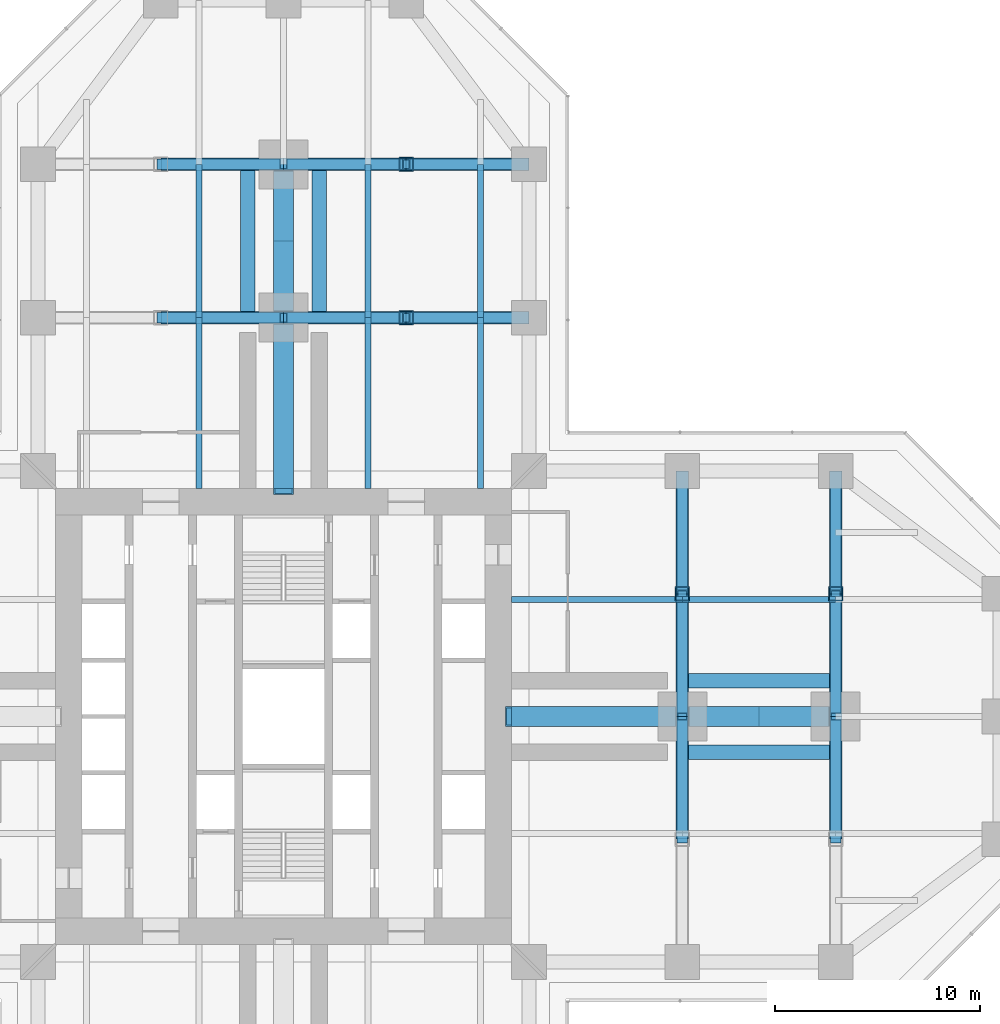
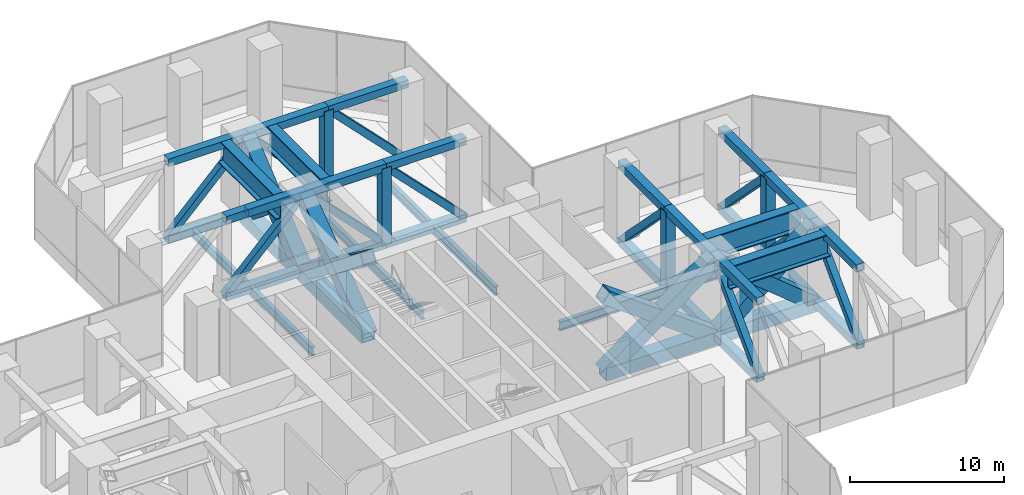
# One storey, part 8 of 19: 48 members, 16 beams.
"""IFC4 building model written with IfcOpenShell, lengths in metres."""

from ifc_helpers import new_model, si_unit, direction, frame, origin, origin_2d, place, context, subcontext, project, spatial, hollow_rectangle, i_section, extrude, material, material_profile, profile_set, type_object, element, save


model = new_model("IFC4")

# Units and contexts
model_context = context("Model", 3, precision=1e-05, world=origin(), true_north=direction((0.0, 1.0)))
body_context = subcontext(model_context, "Body", "Model", "MODEL_VIEW")
ifc_project = project(units=[si_unit("LENGTHUNIT", "METRE"), si_unit("AREAUNIT", "SQUARE_METRE"), si_unit("VOLUMEUNIT", "CUBIC_METRE"), si_unit("PLANEANGLEUNIT", "RADIAN"), si_unit("MASSUNIT", "GRAM", prefix="KILO")], contexts=[model_context])

# Site, building, storey
site_placement = place(None, origin())
site = spatial("IfcSite", under=ifc_project, at=site_placement, CompositionType="ELEMENT")
building_placement = place(site_placement, origin())
building = spatial("IfcBuilding", under=site, at=building_placement, Name="Mizan Broadcast Tower", CompositionType="ELEMENT")
storey_placement = place(building_placement, frame((0.0, 0.0, 37.5)))
storey = spatial("IfcBuildingStorey", under=building, at=storey_placement, Name="L06", CompositionType="ELEMENT", Elevation=37.5)

# Members
ifc_material_1 = material(Name="Steel S460", Category="steel")
ifc_material_profile_1 = material_profile(ifc_material_1, hollow_rectangle(XDim=0.60009765625, YDim=0.60009765625, WallThickness=0.06005859375, at=origin_2d()), Name="BOX 600x600x60")
ifc_profile_set_1 = profile_set([ifc_material_profile_1], Name="Steel S460")
member_type_1 = type_object("IfcMemberType", Name="BELT TRUSS BT1 CHORD BOX 600x600x60", PredefinedType="CHORD", material=ifc_profile_set_1)
for number, where, z_axis, x_axis, name in (
    (1, (19.5, -6.0, -0.550048828125), (0.0, 1.0, 0.0), (-1.0, 0.0, 0.0), "Belt truss BT1-E19 bottom chord 2"),
    (2, (19.5, -6.0, 5.570068359375), (0.0, 1.0, 0.0), (-1.0, 0.0, 0.0), "Belt truss BT1-E19 top chord 2"),
    (3, (19.5, 0.0, -0.550048828125), (0.0, 1.0, 0.0), (-1.0, 0.0, 0.0), "Belt truss BT1-E19 bottom chord 3"),
    (4, (19.5, 0.0, 5.570068359375), (0.0, 1.0, 0.0), (-1.0, 0.0, 0.0), "Belt truss BT1-E19 top chord 3"),
    (5, (19.5, 6.0, -0.550048828125), (0.0, 1.0, 0.0), (-1.0, 0.0, 0.0), "Belt truss BT1-E19 bottom chord 4"),
    (6, (19.5, 6.0, 5.570068359375), (0.0, 1.0, 0.0), (-1.0, 0.0, 0.0), "Belt truss BT1-E19 top chord 4"),
    (7, (27.0, -6.0, -0.550048828125), (0.0, 1.0, 0.0), (-1.0, 0.0, 0.0), "Belt truss BT1-E27 bottom chord 2"),
    (8, (27.0, -6.0, 5.570068359375), (0.0, 1.0, 0.0), (-1.0, 0.0, 0.0), "Belt truss BT1-E27 top chord 2"),
    (9, (27.0, 0.0, -0.550048828125), (0.0, 1.0, 0.0), (-1.0, 0.0, 0.0), "Belt truss BT1-E27 bottom chord 3"),
    (10, (27.0, 0.0, 5.570068359375), (0.0, 1.0, 0.0), (-1.0, 0.0, 0.0), "Belt truss BT1-E27 top chord 3"),
    (11, (27.0, 6.0, -0.550048828125), (0.0, 1.0, 0.0), (-1.0, 0.0, 0.0), "Belt truss BT1-E27 bottom chord 4"),
    (12, (27.0, 6.0, 5.570068359375), (0.0, 1.0, 0.0), (-1.0, 0.0, 0.0), "Belt truss BT1-E27 top chord 4"),
    (13, (12.0, 19.5, -0.550048828125), (-1.0, 0.0, 0.0), (0.0, -1.0, 0.0), "Belt truss BT1-N19 bottom chord 1"),
    (14, (12.0, 19.5, 5.570068359375), (-1.0, 0.0, 0.0), (0.0, -1.0, 0.0), "Belt truss BT1-N19 top chord 1"),
    (15, (6.0, 19.5, -0.550048828125), (-1.0, 0.0, 0.0), (0.0, -1.0, 0.0), "Belt truss BT1-N19 bottom chord 2"),
    (16, (6.0, 19.5, 5.570068359375), (-1.0, 0.0, 0.0), (0.0, -1.0, 0.0), "Belt truss BT1-N19 top chord 2"),
    (17, (0.0, 19.5, -0.550048828125), (-1.0, 0.0, 0.0), (0.0, -1.0, 0.0), "Belt truss BT1-N19 bottom chord 3"),
    (18, (0.0, 19.5, 5.570068359375), (-1.0, 0.0, 0.0), (0.0, -1.0, 0.0), "Belt truss BT1-N19 top chord 3"),
    (19, (12.0, 27.0, -0.550048828125), (-1.0, 0.0, 0.0), (0.0, -1.0, 0.0), "Belt truss BT1-N27 bottom chord 1"),
    (20, (12.0, 27.0, 5.570068359375), (-1.0, 0.0, 0.0), (0.0, -1.0, 0.0), "Belt truss BT1-N27 top chord 1"),
    (21, (6.0, 27.0, -0.550048828125), (-1.0, 0.0, 0.0), (0.0, -1.0, 0.0), "Belt truss BT1-N27 bottom chord 2"),
    (22, (6.0, 27.0, 5.570068359375), (-1.0, 0.0, 0.0), (0.0, -1.0, 0.0), "Belt truss BT1-N27 top chord 2"),
    (23, (0.0, 27.0, -0.550048828125), (-1.0, 0.0, 0.0), (0.0, -1.0, 0.0), "Belt truss BT1-N27 bottom chord 3"),
    (24, (0.0, 27.0, 5.570068359375), (-1.0, 0.0, 0.0), (0.0, -1.0, 0.0), "Belt truss BT1-N27 top chord 3"),
):
    element("IfcMember", number, at=place(storey_placement, frame(where, z_axis=z_axis, x_axis=x_axis)), inside=storey, type_object=member_type_1, Name=name, PredefinedType="CHORD", context=body_context, shape_type="SweptSolid", body=[
        extrude(hollow_rectangle(XDim=0.60009765625, YDim=0.60009765625, WallThickness=0.06005859375, at=origin_2d()), origin(), (0.0, 0.0, 1.0), 6.0),
    ])
ifc_material_2 = material(Name="Steel S460", Category="steel")
ifc_material_profile_2 = material_profile(ifc_material_2, hollow_rectangle(XDim=0.5, YDim=0.5, WallThickness=0.050048828125, at=origin_2d()), Name="BOX 500x500x50")
ifc_profile_set_2 = profile_set([ifc_material_profile_2], Name="Steel S460")
member_type_2 = type_object("IfcMemberType", Name="BELT TRUSS BT1 DIAGONAL BOX 500x500x50", PredefinedType="BRACE", material=ifc_profile_set_2)
for number, where, z_axis, x_axis, name in (
    (25, (19.5, -6.0, -0.550048828125), (0.0, 0.700064575666, 0.714079540316), (-1.0, 0.0, 0.0), "Belt truss BT1-E19 diagonal 2"),
    (26, (19.5, 6.0, -0.550048828125), (0.0, -0.700064575666, 0.714079540316), (1.0, 0.0, 0.0), "Belt truss BT1-E19 diagonal 3"),
    (27, (19.5, 12.0, -0.550048828125), (0.0, -0.700064575666, 0.714079540316), (1.0, 0.0, 0.0), "Belt truss BT1-E19 diagonal 4"),
    (28, (27.0, -6.0, -0.550048828125), (0.0, 0.700064575666, 0.714079540316), (-1.0, 0.0, 0.0), "Belt truss BT1-E27 diagonal 2"),
    (29, (27.0, 6.0, -0.550048828125), (0.0, -0.700064575666, 0.714079540316), (1.0, 0.0, 0.0), "Belt truss BT1-E27 diagonal 3"),
    (30, (27.0, 12.0, -0.550048828125), (0.0, -0.700064575666, 0.714079540316), (1.0, 0.0, 0.0), "Belt truss BT1-E27 diagonal 4"),
    (31, (12.0, 19.5, -0.550048828125), (-0.700064575666, 0.0, 0.714079540316), (0.0, -1.0, 0.0), "Belt truss BT1-N19 diagonal 1"),
    (32, (6.0, 19.5, -0.550048828125), (-0.700064575666, 0.0, 0.714079540316), (0.0, -1.0, 0.0), "Belt truss BT1-N19 diagonal 2"),
    (33, (-6.0, 19.5, -0.550048828125), (0.700064575666, 0.0, 0.714079540316), (0.0, 1.0, 0.0), "Belt truss BT1-N19 diagonal 3"),
    (34, (12.0, 27.0, -0.550048828125), (-0.700064575666, 0.0, 0.714079540316), (0.0, -1.0, 0.0), "Belt truss BT1-N27 diagonal 1"),
    (35, (6.0, 27.0, -0.550048828125), (-0.700064575666, 0.0, 0.714079540316), (0.0, -1.0, 0.0), "Belt truss BT1-N27 diagonal 2"),
    (36, (-6.0, 27.0, -0.550048828125), (0.700064575666, 0.0, 0.714079540316), (0.0, 1.0, 0.0), "Belt truss BT1-N27 diagonal 3"),
):
    element("IfcMember", number, at=place(storey_placement, frame(where, z_axis=z_axis, x_axis=x_axis)), inside=storey, type_object=member_type_2, Name=name, PredefinedType="BRACE", context=body_context, shape_type="SweptSolid", body=[
        extrude(hollow_rectangle(XDim=0.5, YDim=0.5, WallThickness=0.050048828125, at=origin_2d()), origin(), (0.0, 0.0, 1.0), 8.570556640625),
    ])
ifc_material_3 = material(Name="Steel S460", Category="steel")
ifc_material_profile_3 = material_profile(ifc_material_3, hollow_rectangle(XDim=0.699951171875, YDim=0.699951171875, WallThickness=0.0400390625, at=origin_2d()), Name="BOX 700x700x40")
ifc_profile_set_3 = profile_set([ifc_material_profile_3], Name="Steel S460")
member_type_3 = type_object("IfcMemberType", Name="BELT TRUSS BT1 POST BOX 700x700x40", PredefinedType="POST", material=ifc_profile_set_3)
for number, where, z_axis, x_axis, name in (
    (37, (19.5, 6.0, -0.550048828125), (0.0, 0.0, 1.0), (1.0, 0.0, 0.0), "Belt truss BT1-E19 post 3"),
    (38, (27.0, 6.0, -0.550048828125), (0.0, 0.0, 1.0), (1.0, 0.0, 0.0), "Belt truss BT1-E27 post 3"),
    (39, (6.0, 19.5, -0.550048828125), (0.0, 0.0, 1.0), (1.0, 0.0, 0.0), "Belt truss BT1-N19 post 1"),
    (40, (6.0, 27.0, -0.550048828125), (0.0, 0.0, 1.0), (1.0, 0.0, 0.0), "Belt truss BT1-N27 post 1"),
):
    element("IfcMember", number, at=place(storey_placement, frame(where, z_axis=z_axis, x_axis=x_axis)), inside=storey, type_object=member_type_3, Name=name, PredefinedType="POST", context=body_context, shape_type="SweptSolid", body=[
        extrude(hollow_rectangle(XDim=0.699951171875, YDim=0.699951171875, WallThickness=0.0400390625, at=origin_2d()), origin(), (0.0, 0.0, 1.0), 6.1201171875),
    ])

# Beams
ifc_material_4 = material(Name="Steel S460", Category="steel")
ifc_material_profile_4 = material_profile(ifc_material_4, hollow_rectangle(XDim=1.0, YDim=1.0, WallThickness=0.080078125, at=origin_2d()), Name="BOX 1000x1000x80")
ifc_profile_set_4 = profile_set([ifc_material_profile_4], Name="Steel S460")
beam_type_1 = type_object("IfcBeamType", Name="OUTRIGGER TRUSS OT1 CHORD BOX 1000x1000x80", PredefinedType="BEAM", material=ifc_profile_set_4)
beam_1_placement = place(storey_placement, frame((11.14990234375, 0.0, -0.75), z_axis=(1.0, 0.0, 0.0), x_axis=(0.0, 1.0, 0.0)))
element("IfcBeam", 41, at=beam_1_placement, inside=storey, type_object=beam_type_1, Name="Outrigger truss OT1-E bottom chord 1", PredefinedType="BEAM", context=body_context, shape_type="SweptSolid", body=[
    extrude(hollow_rectangle(XDim=1.0, YDim=1.0, WallThickness=0.080078125, at=origin_2d()), origin(), (0.0, 0.0, 1.0), 8.35009765625),
])
beam_2_placement = place(storey_placement, frame((19.5, 0.0, -0.75), z_axis=(1.0, 0.0, 0.0), x_axis=(0.0, 1.0, 0.0)))
element("IfcBeam", 42, at=beam_2_placement, inside=storey, type_object=beam_type_1, Name="Outrigger truss OT1-E bottom chord 2", PredefinedType="BEAM", context=body_context, shape_type="SweptSolid", body=[
    extrude(hollow_rectangle(XDim=1.0, YDim=1.0, WallThickness=0.080078125, at=origin_2d()), origin(), (0.0, 0.0, 1.0), 7.5),
])
beam_3_placement = place(storey_placement, frame((0.0, 11.14990234375, -0.75), z_axis=(0.0, 1.0, 0.0), x_axis=(-1.0, 0.0, 0.0)))
element("IfcBeam", 43, at=beam_3_placement, inside=storey, type_object=beam_type_1, Name="Outrigger truss OT1-N bottom chord 1", PredefinedType="BEAM", context=body_context, shape_type="SweptSolid", body=[
    extrude(hollow_rectangle(XDim=1.0, YDim=1.0, WallThickness=0.080078125, at=origin_2d()), origin(), (0.0, 0.0, 1.0), 8.35009765625),
])
beam_4_placement = place(storey_placement, frame((0.0, 19.5, -0.75), z_axis=(0.0, 1.0, 0.0), x_axis=(-1.0, 0.0, 0.0)))
element("IfcBeam", 44, at=beam_4_placement, inside=storey, type_object=beam_type_1, Name="Outrigger truss OT1-N bottom chord 2", PredefinedType="BEAM", context=body_context, shape_type="SweptSolid", body=[
    extrude(hollow_rectangle(XDim=1.0, YDim=1.0, WallThickness=0.080078125, at=origin_2d()), origin(), (0.0, 0.0, 1.0), 7.5),
])

# Members
ifc_material_5 = material(Name="Steel S460", Category="steel")
ifc_material_profile_5 = material_profile(ifc_material_5, hollow_rectangle(XDim=1.0, YDim=1.0, WallThickness=0.080078125, at=origin_2d()), Name="BOX 1000x1000x80")
ifc_profile_set_5 = profile_set([ifc_material_profile_5], Name="Steel S460")
member_type_4 = type_object("IfcMemberType", Name="OUTRIGGER TRUSS OT1 DIAGONAL BOX 1000x1000x80", PredefinedType="BRACE", material=ifc_profile_set_5)
for number, where, z_axis, x_axis, name in (
    (45, (11.14990234375, 0.0, -0.75), (0.806556413109, 0.0, 0.591157130104), (0.0, 1.0, 0.0), "Outrigger truss OT1-E panel 1 diagonal 1"),
    (46, (11.14990234375, 0.0, 5.3701171875), (0.806556413109, 0.0, -0.591157130104), (0.0, 1.0, 0.0), "Outrigger truss OT1-E panel 1 diagonal 2"),
):
    element("IfcMember", number, at=place(storey_placement, frame(where, z_axis=z_axis, x_axis=x_axis)), inside=storey, type_object=member_type_4, Name=name, PredefinedType="BRACE", context=body_context, shape_type="SweptSolid", body=[
        extrude(hollow_rectangle(XDim=1.0, YDim=1.0, WallThickness=0.080078125, at=origin_2d()), origin(), (0.0, 0.0, 1.0), 10.352783203125),
    ])
for number, where, z_axis, x_axis, name in (
    (47, (19.5, 0.0, -0.75), (0.774779189922, 0.0, 0.632231924901), (0.0, 1.0, 0.0), "Outrigger truss OT1-E panel 2 diagonal 1"),
    (48, (19.5, 0.0, 5.3701171875), (0.774779189922, 0.0, -0.632231924901), (0.0, 1.0, 0.0), "Outrigger truss OT1-E panel 2 diagonal 2"),
):
    element("IfcMember", number, at=place(storey_placement, frame(where, z_axis=z_axis, x_axis=x_axis)), inside=storey, type_object=member_type_4, Name=name, PredefinedType="BRACE", context=body_context, shape_type="SweptSolid", body=[
        extrude(hollow_rectangle(XDim=1.0, YDim=1.0, WallThickness=0.080078125, at=origin_2d()), origin(), (0.0, 0.0, 1.0), 9.68017578125),
    ])
for number, where, z_axis, x_axis, name in (
    (49, (0.0, 11.14990234375, -0.75), (0.0, 0.806556413109, 0.591157130104), (-1.0, 0.0, 0.0), "Outrigger truss OT1-N panel 1 diagonal 1"),
    (50, (0.0, 11.14990234375, 5.3701171875), (0.0, 0.806556413109, -0.591157130104), (-1.0, 0.0, 0.0), "Outrigger truss OT1-N panel 1 diagonal 2"),
):
    element("IfcMember", number, at=place(storey_placement, frame(where, z_axis=z_axis, x_axis=x_axis)), inside=storey, type_object=member_type_4, Name=name, PredefinedType="BRACE", context=body_context, shape_type="SweptSolid", body=[
        extrude(hollow_rectangle(XDim=1.0, YDim=1.0, WallThickness=0.080078125, at=origin_2d()), origin(), (0.0, 0.0, 1.0), 10.352783203125),
    ])
for number, where, z_axis, x_axis, name in (
    (51, (0.0, 19.5, -0.75), (0.0, 0.774779189922, 0.632231924901), (-1.0, 0.0, 0.0), "Outrigger truss OT1-N panel 2 diagonal 1"),
    (52, (0.0, 19.5, 5.3701171875), (0.0, 0.774779189922, -0.632231924901), (-1.0, 0.0, 0.0), "Outrigger truss OT1-N panel 2 diagonal 2"),
):
    element("IfcMember", number, at=place(storey_placement, frame(where, z_axis=z_axis, x_axis=x_axis)), inside=storey, type_object=member_type_4, Name=name, PredefinedType="BRACE", context=body_context, shape_type="SweptSolid", body=[
        extrude(hollow_rectangle(XDim=1.0, YDim=1.0, WallThickness=0.080078125, at=origin_2d()), origin(), (0.0, 0.0, 1.0), 9.68017578125),
    ])

# Beams
ifc_material_6 = material(Name="Steel S355", Category="steel")
ifc_material_profile_6 = material_profile(ifc_material_6, i_section(OverallWidth=0.300048828125, OverallDepth=0.699951171875, WebThickness=0.01708984375, FlangeThickness=0.031982421875, FilletRadius=0.027099609375, at=origin_2d()), Name="HEB 700")
ifc_profile_set_6 = profile_set([ifc_material_profile_6], Name="Steel S355")
beam_type_2 = type_object("IfcBeamType", Name="SECONDARY BEAM HEB 700", PredefinedType="JOIST", material=ifc_profile_set_6)
beam_5_placement = place(storey_placement, frame((11.14990234375, 5.71435546875, -0.60009765625), z_axis=(1.0, 0.0, 0.0), x_axis=(0.0, 1.0, 0.0)))
element("IfcBeam", 53, at=beam_5_placement, inside=storey, type_object=beam_type_2, Name="Secondary beam HEB 700 L06 east arm", PredefinedType="JOIST", context=body_context, shape_type="SweptSolid", body=[
    extrude(i_section(OverallWidth=0.300048828125, OverallDepth=0.699951171875, WebThickness=0.01708984375, FlangeThickness=0.031982421875, FilletRadius=0.027099609375, at=origin_2d()), origin(), (0.0, 0.0, 1.0), 8.35009765625),
])
beam_6_placement = place(storey_placement, frame((19.5, 5.71435546875, -0.60009765625), z_axis=(1.0, 0.0, 0.0), x_axis=(0.0, 1.0, 0.0)))
element("IfcBeam", 54, at=beam_6_placement, inside=storey, type_object=beam_type_2, Name="Secondary beam HEB 700 L06 east arm", PredefinedType="JOIST", context=body_context, shape_type="SweptSolid", body=[
    extrude(i_section(OverallWidth=0.300048828125, OverallDepth=0.699951171875, WebThickness=0.01708984375, FlangeThickness=0.031982421875, FilletRadius=0.027099609375, at=origin_2d()), origin(), (0.0, 0.0, 1.0), 7.5),
])
beam_7_placement = place(storey_placement, frame((9.625, 11.14990234375, -0.60009765625), z_axis=(0.0, 1.0, 0.0), x_axis=(-1.0, 0.0, 0.0)))
element("IfcBeam", 55, at=beam_7_placement, inside=storey, type_object=beam_type_2, Name="Secondary beam HEB 700 L06 north arm", PredefinedType="JOIST", context=body_context, shape_type="SweptSolid", body=[
    extrude(i_section(OverallWidth=0.300048828125, OverallDepth=0.699951171875, WebThickness=0.01708984375, FlangeThickness=0.031982421875, FilletRadius=0.027099609375, at=origin_2d()), origin(), (0.0, 0.0, 1.0), 8.35009765625),
])
beam_8_placement = place(storey_placement, frame((9.625, 19.5, -0.60009765625), z_axis=(0.0, 1.0, 0.0), x_axis=(-1.0, 0.0, 0.0)))
element("IfcBeam", 56, at=beam_8_placement, inside=storey, type_object=beam_type_2, Name="Secondary beam HEB 700 L06 north arm", PredefinedType="JOIST", context=body_context, shape_type="SweptSolid", body=[
    extrude(i_section(OverallWidth=0.300048828125, OverallDepth=0.699951171875, WebThickness=0.01708984375, FlangeThickness=0.031982421875, FilletRadius=0.027099609375, at=origin_2d()), origin(), (0.0, 0.0, 1.0), 7.5),
])
beam_9_placement = place(storey_placement, frame((4.125, 11.14990234375, -0.60009765625), z_axis=(0.0, 1.0, 0.0), x_axis=(-1.0, 0.0, 0.0)))
element("IfcBeam", 57, at=beam_9_placement, inside=storey, type_object=beam_type_2, Name="Secondary beam HEB 700 L06 north arm", PredefinedType="JOIST", context=body_context, shape_type="SweptSolid", body=[
    extrude(i_section(OverallWidth=0.300048828125, OverallDepth=0.699951171875, WebThickness=0.01708984375, FlangeThickness=0.031982421875, FilletRadius=0.027099609375, at=origin_2d()), origin(), (0.0, 0.0, 1.0), 8.35009765625),
])
beam_10_placement = place(storey_placement, frame((4.125, 19.5, -0.60009765625), z_axis=(0.0, 1.0, 0.0), x_axis=(-1.0, 0.0, 0.0)))
element("IfcBeam", 58, at=beam_10_placement, inside=storey, type_object=beam_type_2, Name="Secondary beam HEB 700 L06 north arm", PredefinedType="JOIST", context=body_context, shape_type="SweptSolid", body=[
    extrude(i_section(OverallWidth=0.300048828125, OverallDepth=0.699951171875, WebThickness=0.01708984375, FlangeThickness=0.031982421875, FilletRadius=0.027099609375, at=origin_2d()), origin(), (0.0, 0.0, 1.0), 7.5),
])
beam_11_placement = place(storey_placement, frame((-4.125, 11.14990234375, -0.60009765625), z_axis=(0.0, 1.0, 0.0), x_axis=(-1.0, 0.0, 0.0)))
element("IfcBeam", 59, at=beam_11_placement, inside=storey, type_object=beam_type_2, Name="Secondary beam HEB 700 L06 north arm", PredefinedType="JOIST", context=body_context, shape_type="SweptSolid", body=[
    extrude(i_section(OverallWidth=0.300048828125, OverallDepth=0.699951171875, WebThickness=0.01708984375, FlangeThickness=0.031982421875, FilletRadius=0.027099609375, at=origin_2d()), origin(), (0.0, 0.0, 1.0), 8.35009765625),
])
beam_12_placement = place(storey_placement, frame((-4.125, 19.5, -0.60009765625), z_axis=(0.0, 1.0, 0.0), x_axis=(-1.0, 0.0, 0.0)))
element("IfcBeam", 60, at=beam_12_placement, inside=storey, type_object=beam_type_2, Name="Secondary beam HEB 700 L06 north arm", PredefinedType="JOIST", context=body_context, shape_type="SweptSolid", body=[
    extrude(i_section(OverallWidth=0.300048828125, OverallDepth=0.699951171875, WebThickness=0.01708984375, FlangeThickness=0.031982421875, FilletRadius=0.027099609375, at=origin_2d()), origin(), (0.0, 0.0, 1.0), 7.5),
])
ifc_material_7 = material(Name="Steel S460", Category="steel")
ifc_material_profile_7 = material_profile(ifc_material_7, i_section(OverallWidth=0.699951171875, OverallDepth=1.800048828125, WebThickness=0.044921875, FlangeThickness=0.080078125, at=origin_2d()), Name="WPG 1800x700")
ifc_profile_set_7 = profile_set([ifc_material_profile_7], Name="Steel S460")
beam_type_3 = type_object("IfcBeamType", Name="SPINE TRANSFER GIRDER WPG 1800x700", PredefinedType="BEAM", material=ifc_profile_set_7)
for number, where, z_axis, x_axis, name in (
    (61, (19.5, -1.75, 4.969970703125), (1.0, 0.0, 0.0), (0.0, 1.0, 0.0), "Spine transfer girder ER L07"),
    (62, (19.5, 1.75, 4.969970703125), (1.0, 0.0, 0.0), (0.0, 1.0, 0.0), "Spine transfer girder EL L07"),
    (63, (1.75, 19.5, 4.969970703125), (0.0, 1.0, 0.0), (-1.0, 0.0, 0.0), "Spine transfer girder NR L07"),
    (64, (-1.75, 19.5, 4.969970703125), (0.0, 1.0, 0.0), (-1.0, 0.0, 0.0), "Spine transfer girder NL L07"),
):
    element("IfcBeam", number, at=place(storey_placement, frame(where, z_axis=z_axis, x_axis=x_axis)), inside=storey, type_object=beam_type_3, Name=name, PredefinedType="BEAM", context=body_context, shape_type="SweptSolid", body=[
        extrude(i_section(OverallWidth=0.699951171875, OverallDepth=1.800048828125, WebThickness=0.044921875, FlangeThickness=0.080078125, at=origin_2d()), origin(), (0.0, 0.0, 1.0), 7.5),
    ])

save(model, "model.ifc")
